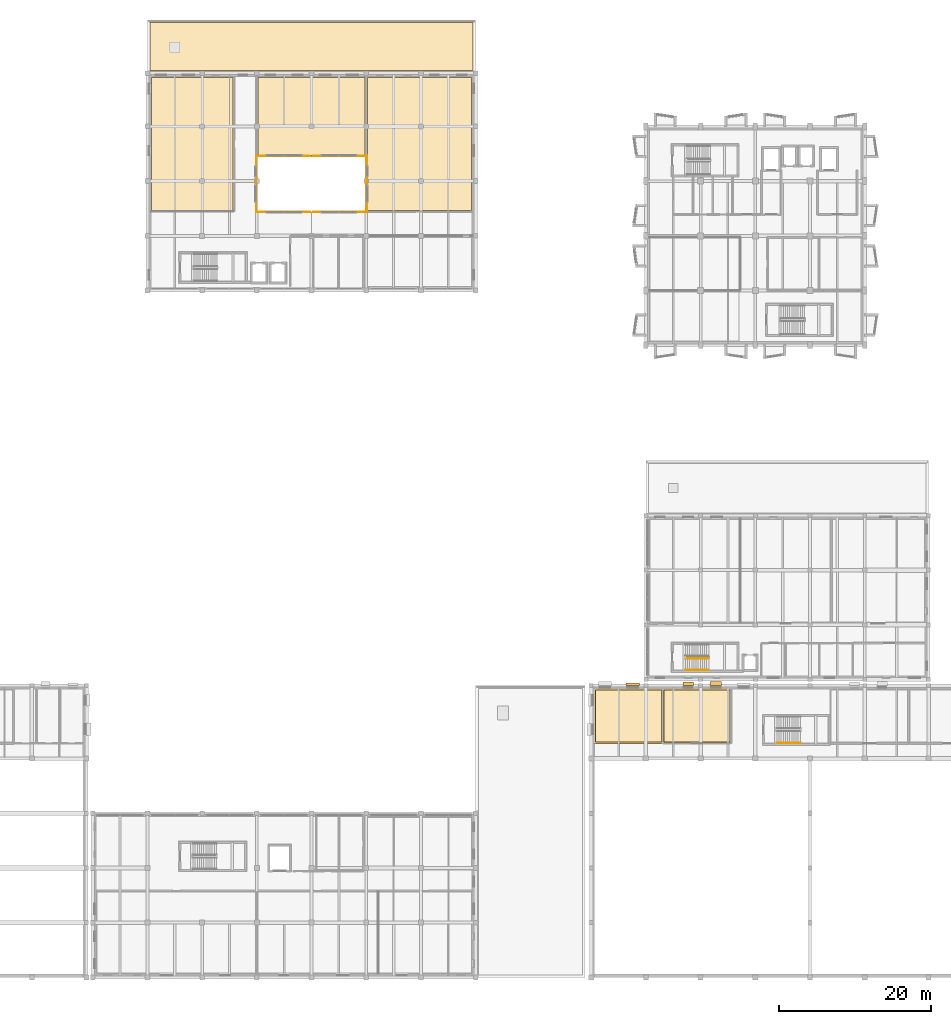
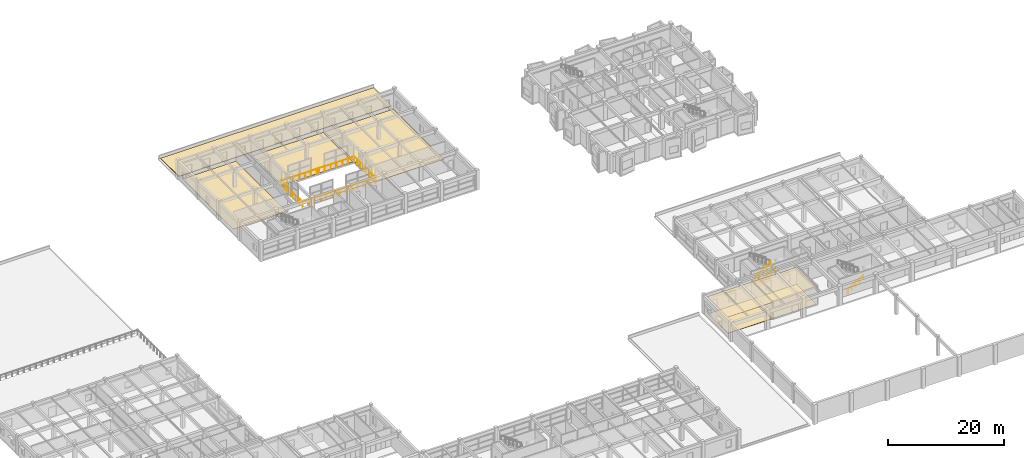
# One storey, part 64 of 67: 9 railings, 8 coverings, 3 shading devices.
"""IFC4 building model written with IfcOpenShell, lengths in metres."""

import ifcopenshell
import ifcopenshell.guid

model = None  # the IFC model being written
_history = None  # IfcOwnerHistory: only IFC2X3 demands one
_inside = {}  # id of a spatial element -> (the spatial element, [elements in it])
_under = {}  # id of a project, library or spatial element -> (it, [spatial elements below it])
_declared = {}  # id of a project -> (the project, [libraries it declares])
_typed = {}  # id of a type object -> (the type object, [elements of that type])
_made_of = {}  # id of a material, layer set ... -> (it, [elements and type objects made of it])


def new_model(schema):
    """Start an empty IFC model of exactly this schema.

    Asked for "IFC4X3", IfcOpenShell would pick the latest addendum, in which some entities
    have other attributes; the version numbers below select the first issue.
    IFC2X3 requires an IfcOwnerHistory on every rooted entity: one is made here for all.
    """
    global model, _history
    if schema == "IFC4X3":
        model = ifcopenshell.file(schema_version=(4, 3, 0, 0))
    else:
        model = ifcopenshell.file(schema=schema)
    _inside.clear()
    _under.clear()
    _declared.clear()
    _typed.clear()
    _made_of.clear()
    _history = None
    if model.schema == "IFC2X3":
        org = make("IfcOrganization", Name="unknown")
        user = make(
            "IfcPersonAndOrganization",
            ThePerson=make("IfcPerson", FamilyName="unknown"),
            TheOrganization=org,
        )
        app = make(
            "IfcApplication",
            ApplicationDeveloper=org,
            Version="unknown",
            ApplicationFullName="unknown",
            ApplicationIdentifier="unknown",
        )
        _history = make(
            "IfcOwnerHistory",
            OwningUser=user,
            OwningApplication=app,
            ChangeAction="ADDED",
            CreationDate=0,
        )
    return model


def make(cls, **values):
    """One entity of the class cls with the attributes given. An attribute that is None is left unset."""
    return model.create_entity(
        cls, **{name: value for name, value in values.items() if value is not None}
    )


def rooted(cls, **values):
    """An entity with a GlobalId (a new one), such as an element, a storey or a relation."""
    return make(cls, GlobalId=ifcopenshell.guid.new(), OwnerHistory=_history, **values)


def si_unit(unit_type, name, prefix=None):
    """IfcSIUnit, for example si_unit("LENGTHUNIT", "METRE", prefix="MILLI")."""
    return make("IfcSIUnit", UnitType=unit_type, Prefix=prefix, Name=name)


def assignment(units):
    """IfcUnitAssignment: the units of a project."""
    return None if units is None else make("IfcUnitAssignment", Units=units)


def point(xyz):
    """IfcCartesianPoint."""
    return None if xyz is None else make("IfcCartesianPoint", Coordinates=xyz)


def direction(xyz):
    """IfcDirection."""
    return None if xyz is None else make("IfcDirection", DirectionRatios=xyz)


def frame(location, z_axis=None, x_axis=None):
    """IfcAxis2Placement3D, a coordinate frame: its origin and axes. An axis left out is left unset."""
    return make(
        "IfcAxis2Placement3D",
        Location=point(location),
        Axis=direction(z_axis),
        RefDirection=direction(x_axis),
    )


def frame_2d(location, x_axis=None):
    """IfcAxis2Placement2D, a coordinate frame in the plane: its origin and x axis."""
    return make(
        "IfcAxis2Placement2D", Location=point(location), RefDirection=direction(x_axis)
    )


def origin():
    """The frame at (0, 0, 0) with its axes left unset."""
    return frame((0.0, 0.0, 0.0))


def origin_2d():
    """The frame at (0, 0) in the plane with its x axis left unset."""
    return frame_2d((0.0, 0.0))


def place(relative_to, where):
    """IfcLocalPlacement: puts the frame where relative to a parent placement (None: the world)."""
    return make(
        "IfcLocalPlacement", PlacementRelTo=relative_to, RelativePlacement=where
    )


def context(
    kind, dimensions, precision=None, world=None, true_north=None, identifier=None
):
    """IfcGeometricRepresentationContext, for example the 3D "Model" context."""
    return make(
        "IfcGeometricRepresentationContext",
        ContextIdentifier=identifier,
        ContextType=kind,
        CoordinateSpaceDimension=dimensions,
        Precision=precision,
        WorldCoordinateSystem=world,
        TrueNorth=true_north,
    )


def subcontext(parent, identifier, kind, view, scale=None):
    """IfcGeometricRepresentationSubContext, for example "Body" below "Model"."""
    return make(
        "IfcGeometricRepresentationSubContext",
        ContextIdentifier=identifier,
        ContextType=kind,
        ParentContext=parent,
        TargetScale=scale,
        TargetView=view,
    )


def project(units=None, contexts=None):
    """IfcProject with its units and contexts."""
    return rooted(
        "IfcProject",
        Name="project",
        RepresentationContexts=contexts,
        UnitsInContext=assignment(units),
    )


def spatial(cls, under=None, at=None, **own):
    """A site, building, storey or space (cls), placed at a placement, below another one or the project."""
    s = rooted(cls, ObjectPlacement=at, **own)
    if under is not None:
        _under.setdefault(under.id(), (under, []))[1].append(s)
    return s


def polyline(points):
    """IfcPolyline through the points."""
    return make("IfcPolyline", Points=[point(p) for p in points])


def profile(cls, at=None, kind="AREA", **sizes):
    """A parametric profile (cls). Its sizes go by their IFC names, for example OverallWidth=200.0."""
    return make(cls, ProfileType=kind, Position=at, **sizes)


def rectangle(**sizes):
    """IfcRectangleProfileDef."""
    return profile("IfcRectangleProfileDef", **sizes)


def circle(**sizes):
    """IfcCircleProfileDef."""
    return profile("IfcCircleProfileDef", **sizes)


def outline(outer, holes=None, kind="AREA"):
    """IfcArbitraryClosedProfileDef: a profile drawn as a closed curve; with holes, ...WithVoids."""
    if holes is None:
        return make("IfcArbitraryClosedProfileDef", ProfileType=kind, OuterCurve=outer)
    return make(
        "IfcArbitraryProfileDefWithVoids",
        ProfileType=kind,
        OuterCurve=outer,
        InnerCurves=holes,
    )


def extrude(swept, where, along, depth):
    """IfcExtrudedAreaSolid: the profile swept, set in the frame where, extruded along a direction by depth."""
    return make(
        "IfcExtrudedAreaSolid",
        SweptArea=swept,
        Position=where,
        ExtrudedDirection=direction(along),
        Depth=depth,
    )


def shape(context_of_items, identifier, shape_type, items):
    """IfcShapeRepresentation: the items that make up one representation, for example the "Body"."""
    return make(
        "IfcShapeRepresentation",
        ContextOfItems=context_of_items,
        RepresentationIdentifier=identifier,
        RepresentationType=shape_type,
        Items=items,
    )


def material(Name=None, Category=None):
    """IfcMaterial."""
    return make("IfcMaterial", Name=Name, Category=Category)


def layer(
    of_material, thickness, ventilated=None, Name=None, Category=None, Priority=None
):
    """IfcMaterialLayer: one layer of a wall or slab, of a material (None: an air gap)."""
    return make(
        "IfcMaterialLayer",
        Material=of_material,
        LayerThickness=thickness,
        IsVentilated=ventilated,
        Name=Name,
        Category=Category,
        Priority=Priority,
    )


def layer_set(layers, Name=None):
    """IfcMaterialLayerSet."""
    return make("IfcMaterialLayerSet", MaterialLayers=layers, LayerSetName=Name)


def made_of(thing, what):
    """Note that an element or type object is made of a material, layer set ...; save() writes the relation."""
    if what is not None:
        _made_of.setdefault(what.id(), (what, []))[1].append(thing)
    return thing


def type_object(cls, material=None, **own):
    """A type object (cls), such as IfcWallType, which elements share."""
    return made_of(rooted(cls, **own), material)


def element(
    cls,
    number,
    at=None,
    inside=None,
    cuts=None,
    type_object=None,
    material=None,
    context=None,
    identifier="Body",
    shape_type=None,
    held_by="IfcProductDefinitionShape",
    body=None,
    shapes=None,
    **own,
):
    """One element of the class cls, such as IfcWall. Its Tag is "e" and its number.

    at: its placement. inside: the storey or other place that contains it. cuts: it is an
    opening in that element (IfcRelVoidsElement). A single representation is given by context,
    identifier, shape_type and body (its items); several are given by shapes. held_by: the class
    of the entity that holds the representations. save() writes the other relations.
    """
    e = rooted(cls, Tag="e%d" % number, ObjectPlacement=at, **own)
    if body is not None:
        shapes = [shape(context, identifier, shape_type, body)]
    if shapes is not None:
        e.Representation = make(held_by, Representations=shapes)
    if inside is not None:
        _inside.setdefault(inside.id(), (inside, []))[1].append(e)
    if cuts is not None:
        rooted(
            "IfcRelVoidsElement", RelatingBuildingElement=cuts, RelatedOpeningElement=e
        )
    if type_object is not None:
        _typed.setdefault(type_object.id(), (type_object, []))[1].append(e)
    return made_of(e, material)


def aggregate(whole, parts):
    """IfcRelAggregates: a whole, such as a stair, and the parts it consists of."""
    return rooted("IfcRelAggregates", RelatingObject=whole, RelatedObjects=parts)


def save(model, path):
    """Write the relations noted so far, then the file.

    IfcRelAggregates (storeys below a building ...), IfcRelContainedInSpatialStructure (elements
    in a storey), IfcRelDefinesByType, IfcRelAssociatesMaterial and IfcRelDeclares: one each for
    every whole, place, type object, material and project.
    """
    for whole, parts in _under.values():
        aggregate(whole, parts)
    for where, things in _inside.values():
        rooted(
            "IfcRelContainedInSpatialStructure",
            RelatedElements=things,
            RelatingStructure=where,
        )
    for kind, things in _typed.values():
        rooted("IfcRelDefinesByType", RelatedObjects=things, RelatingType=kind)
    for what, things in _made_of.values():
        rooted("IfcRelAssociatesMaterial", RelatedObjects=things, RelatingMaterial=what)
    for by, libraries in _declared.values():
        rooted("IfcRelDeclares", RelatingContext=by, RelatedDefinitions=libraries)
    model.write(path)


model = new_model("IFC4")

# Units and contexts
model_context = context("Model", 3, precision=1e-05, world=origin(), true_north=direction((0.0, 1.0)))
body_context = subcontext(model_context, "Body", "Model", "MODEL_VIEW")
ifc_project = project(units=[si_unit("LENGTHUNIT", "METRE"), si_unit("AREAUNIT", "SQUARE_METRE"), si_unit("VOLUMEUNIT", "CUBIC_METRE"), si_unit("PLANEANGLEUNIT", "RADIAN"), si_unit("MASSUNIT", "GRAM", prefix="KILO")], contexts=[model_context])

# Site, building, storey
site_placement = place(None, origin())
site = spatial("IfcSite", under=ifc_project, at=site_placement, CompositionType="ELEMENT")
building_placement = place(site_placement, origin())
building = spatial("IfcBuilding", under=site, at=building_placement, Name="Bramveld Media Centre", CompositionType="ELEMENT")
storey_placement = place(building_placement, frame((0.0, 0.0, 5.39990234375)))
storey = spatial("IfcBuildingStorey", under=building, at=storey_placement, Name="L01", CompositionType="ELEMENT", Elevation=5.39990234375)

# Coverings
ifc_material_1 = material(Name="Perforated acoustic mineral-fibre & oak-slat suspended ceiling")
ifc_layer_1 = layer(ifc_material_1, 0.044921875)
ifc_layer_set_1 = layer_set([ifc_layer_1], Name="Perforated acoustic mineral-fibre & oak-slat suspended ceiling")
covering_type_1 = type_object("IfcCoveringType", Name="COV-CEIL-01", PredefinedType="CEILING", material=ifc_layer_set_1)
covering_1_placement = place(storey_placement, frame((0.0, 0.0, 3.545166015625)))
element("IfcCovering", 1, at=covering_1_placement, inside=storey, type_object=covering_type_1, Name="Simultaneous Interpretation Booths acoustic suspended ceiling", PredefinedType="CEILING", context=body_context, shape_type="SweptSolid", body=[
    extrude(outline(polyline([(133.39990234375, 30.800048828125), (142.39990234375, 30.800048828125), (142.39990234375, 38.0), (133.39990234375, 38.0), (133.39990234375, 30.800048828125)])), origin(), (0.0, 0.0, 1.0), 0.044921875),
])
ifc_material_2 = material(Name="Spring-isolated studio acoustic gypsum & mineral-wool ceiling")
ifc_layer_2 = layer(ifc_material_2, 0.06005859375)
ifc_layer_set_2 = layer_set([ifc_layer_2], Name="Spring-isolated studio acoustic gypsum & mineral-wool ceiling")
covering_type_2 = type_object("IfcCoveringType", Name="COV-CEIL-02", PredefinedType="CEILING", material=ifc_layer_set_2)
covering_2_placement = place(storey_placement, frame((0.0, 0.0, 3.530029296875)))
element("IfcCovering", 2, at=covering_2_placement, inside=storey, type_object=covering_type_2, Name="Cinema Balcony Circulation Lobby acoustic suspended ceiling", PredefinedType="CEILING", context=body_context, shape_type="SweptSolid", body=[
    extrude(outline(polyline([(124.39990234375, 30.800048828125), (133.39990234375, 30.800048828125), (133.39990234375, 38.0), (124.39990234375, 38.0), (124.39990234375, 30.800048828125)])), origin(), (0.0, 0.0, 1.0), 0.06005859375),
])
ifc_material_3 = material(Name="Floating acoustic screed with smoked European oak studio flooring")
ifc_layer_3 = layer(ifc_material_3, 0.06494140625)
ifc_layer_set_3 = layer_set([ifc_layer_3], Name="Floating acoustic screed with smoked European oak studio flooring")
covering_type_3 = type_object("IfcCoveringType", Name="COV-FLOOR-01", PredefinedType="FLOORING", material=ifc_layer_set_3)
covering_3_placement = place(storey_placement, origin())
element("IfcCovering", 3, at=covering_3_placement, inside=storey, type_object=covering_type_3, Name="Cinema Balcony Circulation Lobby finish flooring", PredefinedType="FLOORING", context=body_context, shape_type="SweptSolid", body=[
    extrude(outline(polyline([(124.550048828125, 30.949951171875), (133.25, 30.949951171875), (133.25, 37.85009765625), (124.550048828125, 37.85009765625), (124.550048828125, 30.949951171875)])), origin(), (0.0, 0.0, 1.0), 0.065185546875),
])
covering_4_placement = place(storey_placement, origin())
element("IfcCovering", 4, at=covering_4_placement, inside=storey, type_object=covering_type_3, Name="Interactive Broadcast History Gallery finish flooring", PredefinedType="FLOORING", context=body_context, shape_type="SweptSolid", body=[
    extrude(outline(polyline([(94.550048828125, 100.949951171875), (108.25, 100.949951171875), (108.25, 118.449951171875), (94.550048828125, 118.449951171875), (94.550048828125, 100.949951171875)])), origin(), (0.0, 0.0, 1.0), 0.065185546875),
])
ifc_material_4 = material(Name="Honed Belgian bluestone (petit granit) public concourse flooring", Category="masonry")
ifc_layer_4 = layer(ifc_material_4, 0.050048828125)
ifc_layer_set_4 = layer_set([ifc_layer_4], Name="Honed Belgian bluestone (petit granit) public concourse flooring")
covering_type_4 = type_object("IfcCoveringType", Name="COV-FLOOR-02", PredefinedType="FLOORING", material=ifc_layer_set_4)
covering_5_placement = place(storey_placement, origin())
element("IfcCovering", 5, at=covering_5_placement, inside=storey, type_object=covering_type_4, Name="Simultaneous Interpretation Booths finish flooring", PredefinedType="FLOORING", context=body_context, shape_type="SweptSolid", body=[
    extrude(outline(polyline([(133.550048828125, 30.949951171875), (142.25, 30.949951171875), (142.25, 37.85009765625), (133.550048828125, 37.85009765625), (133.550048828125, 30.949951171875)])), origin(), (0.0, 0.0, 1.0), 0.050048828125),
])
covering_6_placement = place(storey_placement, origin())
element("IfcCovering", 6, at=covering_6_placement, inside=storey, type_object=covering_type_4, Name="Immersive Sound-Art Gallery finish flooring", PredefinedType="FLOORING", context=body_context, shape_type="SweptSolid", body=[
    extrude(outline(polyline([(66.14990234375, 100.949951171875), (76.85009765625, 100.949951171875), (76.85009765625, 118.449951171875), (66.14990234375, 118.449951171875), (66.14990234375, 100.949951171875)])), origin(), (0.0, 0.0, 1.0), 0.050048828125),
])
ifc_material_5 = material(Name="Anti-static acoustic linoleum editing & vault flooring")
ifc_layer_5 = layer(ifc_material_5, 0.0400390625)
ifc_layer_set_5 = layer_set([ifc_layer_5], Name="Anti-static acoustic linoleum editing & vault flooring")
covering_type_5 = type_object("IfcCoveringType", Name="COV-FLOOR-03", PredefinedType="FLOORING", material=ifc_layer_set_5)
covering_7_placement = place(storey_placement, origin())
element("IfcCovering", 7, at=covering_7_placement, inside=storey, type_object=covering_type_5, Name="North Canal Photography Gallery finish flooring", PredefinedType="FLOORING", context=body_context, shape_type="SweptSolid", body=[
    extrude(outline(polyline([(80.14990234375, 108.14990234375), (94.25, 108.14990234375), (94.25, 118.449951171875), (80.14990234375, 118.449951171875), (80.14990234375, 108.14990234375)])), origin(), (0.0, 0.0, 1.0), 0.0400390625),
])
ifc_material_6 = material(Name="Vegetated extensive green-roof substrate and EPDM membrane")
ifc_layer_6 = layer(ifc_material_6, 0.139892578125)
ifc_layer_set_6 = layer_set([ifc_layer_6], Name="Vegetated extensive green-roof substrate and EPDM membrane")
covering_type_6 = type_object("IfcCoveringType", Name="COV-ROOF-GREEN", PredefinedType="ROOFING", material=ifc_layer_set_6)
covering_8_placement = place(storey_placement, origin())
element("IfcCovering", 8, at=covering_8_placement, inside=storey, type_object=covering_type_6, Name="V6 L01 vegetated green roof covering", PredefinedType="ROOFING", context=body_context, shape_type="SweptSolid", body=[
    extrude(outline(polyline([(65.949951171875, 119.35009765625), (108.449951171875, 119.35009765625), (108.449951171875, 125.64990234375), (65.949951171875, 125.64990234375), (65.949951171875, 119.35009765625)])), origin(), (0.0, 0.0, 1.0), 0.14013671875),
])

# Railings
ifc_material_7 = material(Name="Laminated acoustic glass & bronze steel atrium balustrade", Category="steel")
railing_type_1 = type_object("IfcRailingType", Name="RAIL-ATRIUM-1180", PredefinedType="BALUSTRADE", material=ifc_material_7)
for number, where, name in (
    (9, (79.919921875, 100.719970703125, 0.0), "V6 L01 atrium edge balustrade S1"),
    (10, (87.419921875, 100.719970703125, 0.0), "V6 L01 atrium edge balustrade S2"),
    (11, (79.919921875, 108.080078125, 0.0), "V6 L01 atrium edge balustrade N1"),
    (12, (87.419921875, 108.080078125, 0.0), "V6 L01 atrium edge balustrade N2"),
):
    element("IfcRailing", number, at=place(storey_placement, frame(where)), inside=storey, type_object=railing_type_1, Name=name, PredefinedType="BALUSTRADE", context=body_context, shape_type="SweptSolid", body=[
        extrude(circle(Radius=0.02392578125, at=origin_2d()), frame((0.0, 0.0, 1.15576171875), z_axis=(1.0, 0.0, 0.0), x_axis=(0.0, 1.0, 0.0)), (0.0, 0.0, 1.0), 7.06005859375),
        extrude(circle(Radius=0.02099609375, at=origin_2d()), origin(), (0.0, 0.0, 1.0), 1.1318359375),
        extrude(circle(Radius=0.02099609375, at=origin_2d()), frame((1.1767578125, 0.0, 0.0)), (0.0, 0.0, 1.0), 1.1318359375),
        extrude(circle(Radius=0.02099609375, at=origin_2d()), frame((2.353271484375, 0.0, 0.0)), (0.0, 0.0, 1.0), 1.1318359375),
        extrude(circle(Radius=0.02099609375, at=origin_2d()), frame((3.530029296875, 0.0, 0.0)), (0.0, 0.0, 1.0), 1.1318359375),
        extrude(circle(Radius=0.02099609375, at=origin_2d()), frame((4.706787109375, 0.0, 0.0)), (0.0, 0.0, 1.0), 1.1318359375),
        extrude(circle(Radius=0.02099609375, at=origin_2d()), frame((5.88330078125, 0.0, 0.0)), (0.0, 0.0, 1.0), 1.1318359375),
        extrude(circle(Radius=0.02099609375, at=origin_2d()), frame((7.06005859375, 0.0, 0.0)), (0.0, 0.0, 1.0), 1.1318359375),
    ])
for number, where, name in (
    (13, (79.919921875, 100.719970703125, 0.0), "V6 L01 atrium edge balustrade W"),
    (14, (94.47998046875, 100.719970703125, 0.0), "V6 L01 atrium edge balustrade E"),
):
    element("IfcRailing", number, at=place(storey_placement, frame(where)), inside=storey, type_object=railing_type_1, Name=name, PredefinedType="BALUSTRADE", context=body_context, shape_type="SweptSolid", body=[
        extrude(circle(Radius=0.02392578125, at=origin_2d()), frame((0.0, 0.0, 1.15576171875), z_axis=(0.0, 1.0, 0.0), x_axis=(-1.0, 0.0, 0.0)), (0.0, 0.0, 1.0), 7.360107421875),
        extrude(circle(Radius=0.02099609375, at=origin_2d()), origin(), (0.0, 0.0, 1.0), 1.1318359375),
        extrude(circle(Radius=0.02099609375, at=origin_2d()), frame((0.0, 1.051513671875, 0.0)), (0.0, 0.0, 1.0), 1.1318359375),
        extrude(circle(Radius=0.02099609375, at=origin_2d()), frame((0.0, 2.102783203125, 0.0)), (0.0, 0.0, 1.0), 1.1318359375),
        extrude(circle(Radius=0.02099609375, at=origin_2d()), frame((0.0, 3.154296875, 0.0)), (0.0, 0.0, 1.0), 1.1318359375),
        extrude(circle(Radius=0.02099609375, at=origin_2d()), frame((0.0, 4.205810546875, 0.0)), (0.0, 0.0, 1.0), 1.1318359375),
        extrude(circle(Radius=0.02099609375, at=origin_2d()), frame((0.0, 5.25732421875, 0.0)), (0.0, 0.0, 1.0), 1.1318359375),
        extrude(circle(Radius=0.02099609375, at=origin_2d()), frame((0.0, 6.30859375, 0.0)), (0.0, 0.0, 1.0), 1.1318359375),
        extrude(circle(Radius=0.02099609375, at=origin_2d()), frame((0.0, 7.360107421875, 0.0)), (0.0, 0.0, 1.0), 1.1318359375),
    ])
ifc_material_8 = material(Name="Painted galvanized steel stairwell guardrail", Category="steel")
railing_type_2 = type_object("IfcRailingType", Name="RAIL-STAIR-GUARD-1150", PredefinedType="GUARDRAIL", material=ifc_material_8)
railing_placement = place(storey_placement, frame((136.39990234375, 41.949951171875, 0.175048828125)))
element("IfcRailing", 15, at=railing_placement, inside=storey, type_object=railing_type_2, Name="L01 ST-08 stair guard 1", PredefinedType="GUARDRAIL", context=body_context, shape_type="SweptSolid", body=[
    extrude(circle(Radius=0.02392578125, at=origin_2d()), frame((0.0, 0.0, 1.1259765625), z_axis=(0.847998304005, 0.0, 0.529998940003), x_axis=(0.0, 1.0, 0.0)), (0.0, 0.0, 1.0), 3.632080078125),
    extrude(circle(Radius=0.02099609375, at=origin_2d()), origin(), (0.0, 0.0, 1.0), 1.101806640625),
    extrude(circle(Radius=0.02099609375, at=origin_2d()), frame((0.77001953125, 0.0, 0.481201171875)), (0.0, 0.0, 1.0), 1.101806640625),
    extrude(circle(Radius=0.02099609375, at=origin_2d()), frame((1.5400390625, 0.0, 0.96240234375)), (0.0, 0.0, 1.0), 1.101806640625),
    extrude(circle(Radius=0.02099609375, at=origin_2d()), frame((2.31005859375, 0.0, 1.44384765625)), (0.0, 0.0, 1.0), 1.101806640625),
    extrude(circle(Radius=0.02099609375, at=origin_2d()), frame((3.080078125, 0.0, 1.925048828125)), (0.0, 0.0, 1.0), 1.101806640625),
])
ifc_material_9 = material(Name="Brushed stainless steel tubular stair handrail", Category="steel")
railing_type_3 = type_object("IfcRailingType", Name="RAIL-STAIR-HAND-0920", PredefinedType="HANDRAIL", material=ifc_material_9)
for number, where, name in (
    (16, (148.449951171875, 30.85009765625, 0.175048828125), "L01 ST-03 stair handrail 1"),
    (17, (136.39990234375, 40.449951171875, 0.175048828125), "L01 ST-08 stair handrail 1"),
):
    element("IfcRailing", number, at=place(storey_placement, frame(where)), inside=storey, type_object=railing_type_3, Name=name, PredefinedType="HANDRAIL", context=body_context, shape_type="SweptSolid", body=[
        extrude(circle(Radius=0.02392578125, at=origin_2d()), frame((0.0, 0.0, 0.8759765625), z_axis=(0.847998304005, 0.0, 0.529998940003), x_axis=(0.0, 1.0, 0.0)), (0.0, 0.0, 1.0), 3.632080078125),
        extrude(circle(Radius=0.02099609375, at=origin_2d()), origin(), (0.0, 0.0, 1.0), 0.851806640625),
        extrude(circle(Radius=0.02099609375, at=origin_2d()), frame((0.77001953125, 0.0, 0.481201171875)), (0.0, 0.0, 1.0), 0.851806640625),
        extrude(circle(Radius=0.02099609375, at=origin_2d()), frame((1.5400390625, 0.0, 0.96240234375)), (0.0, 0.0, 1.0), 0.851806640625),
        extrude(circle(Radius=0.02099609375, at=origin_2d()), frame((2.31005859375, 0.0, 1.44384765625)), (0.0, 0.0, 1.0), 0.851806640625),
        extrude(circle(Radius=0.02099609375, at=origin_2d()), frame((3.080078125, 0.0, 1.925048828125)), (0.0, 0.0, 1.0), 0.851806640625),
    ])

# Shading devices
ifc_material_10 = material(Name="Anodized bronze extruded aluminium solar shading fin", Category="aluminium")
shading_device_type_1 = type_object("IfcShadingDeviceType", Name="SHD-BRISE-350", PredefinedType="JALOUSIE", material=ifc_material_10)
shading_device_1_placement = place(storey_placement, frame((129.470703125, 38.574951171875, 2.510009765625), z_axis=(0.0, 0.0, 1.0), x_axis=(1.0, 0.0, 0.0)))
element("IfcShadingDevice", 18, at=shading_device_1_placement, inside=storey, type_object=shading_device_type_1, Name="Bronze solar shading fin 21", PredefinedType="JALOUSIE", context=body_context, shape_type="SweptSolid", body=[
    extrude(rectangle(XDim=1.800048828125, YDim=0.35009765625, at=origin_2d()), origin(), (0.0, 0.0, 1.0), 0.06005859375),
])
ifc_material_11 = material(Name="Anodized bronze extruded aluminium solar shading fin", Category="aluminium")
shading_device_type_2 = type_object("IfcShadingDeviceType", Name="SHD-BRISE-450", PredefinedType="JALOUSIE", material=ifc_material_11)
shading_device_2_placement = place(storey_placement, frame((136.7646484375, 38.625, 2.66015625), z_axis=(0.0, 0.0, 1.0), x_axis=(1.0, 0.0, 0.0)))
element("IfcShadingDevice", 19, at=shading_device_2_placement, inside=storey, type_object=shading_device_type_2, Name="Bronze solar shading fin 22", PredefinedType="JALOUSIE", context=body_context, shape_type="SweptSolid", body=[
    extrude(rectangle(XDim=1.419921875, YDim=0.449951171875, at=origin_2d()), origin(), (0.0, 0.0, 1.0), 0.06005859375),
])
ifc_material_12 = material(Name="Anodized bronze extruded aluminium solar shading fin", Category="aluminium")
shading_device_type_3 = type_object("IfcShadingDeviceType", Name="SHD-BRISE-550", PredefinedType="JALOUSIE", material=ifc_material_12)
shading_device_3_placement = place(storey_placement, frame((140.411865234375, 38.675048828125, 2.66015625), z_axis=(0.0, 0.0, 1.0), x_axis=(1.0, 0.0, 0.0)))
element("IfcShadingDevice", 20, at=shading_device_3_placement, inside=storey, type_object=shading_device_type_3, Name="Bronze solar shading fin 23", PredefinedType="JALOUSIE", context=body_context, shape_type="SweptSolid", body=[
    extrude(rectangle(XDim=1.5400390625, YDim=0.550048828125, at=origin_2d()), origin(), (0.0, 0.0, 1.0), 0.06005859375),
])

save(model, "model.ifc")
